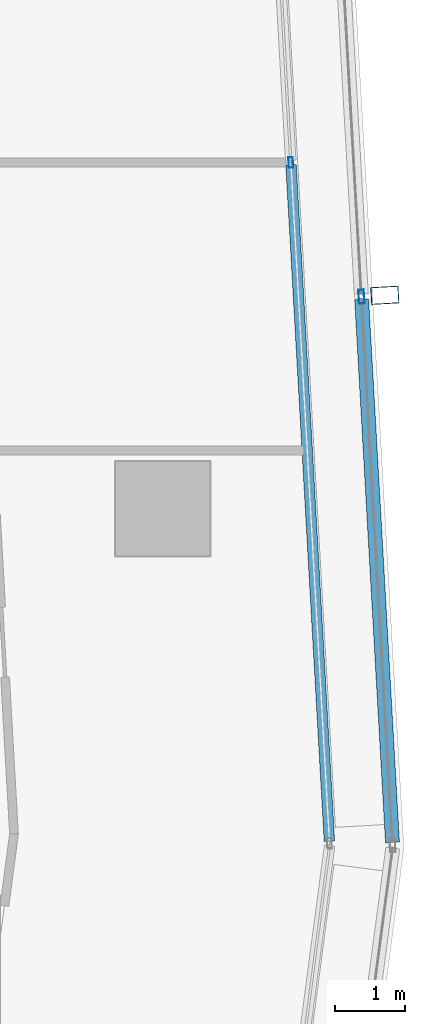
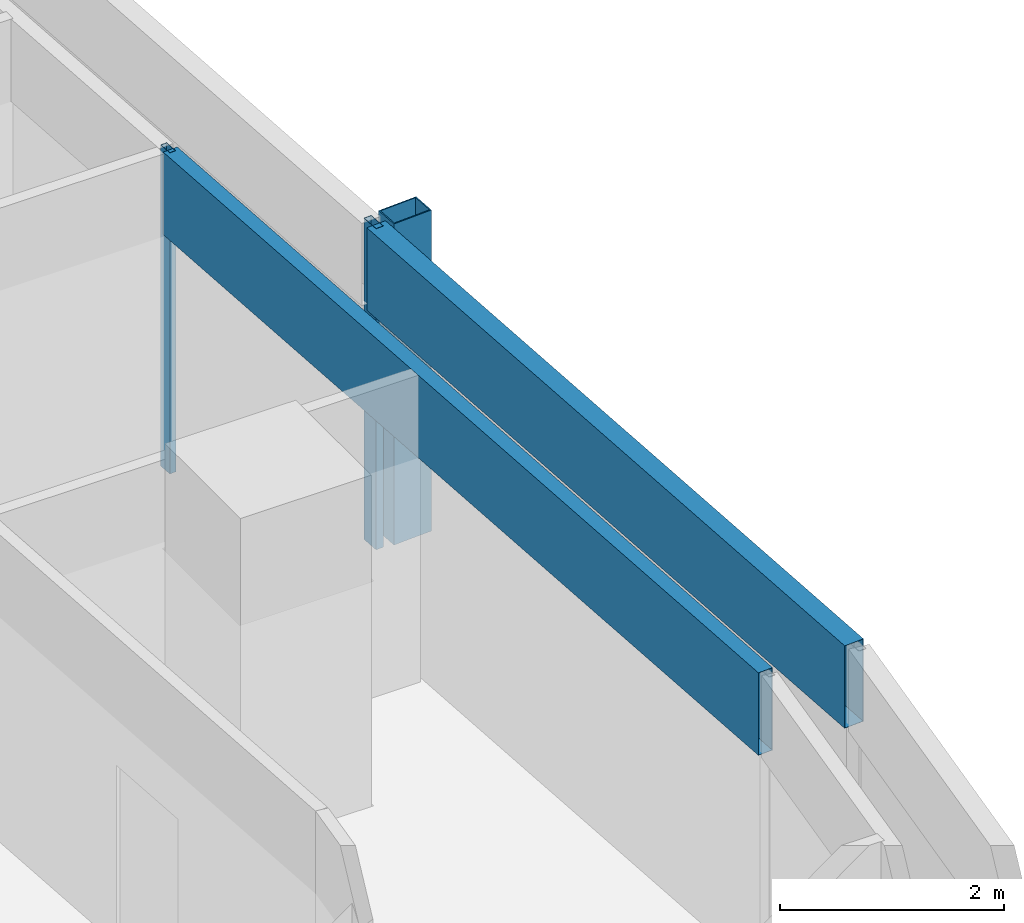
# One storey, part 14 of 39: 5 members, 2 elements without a shape of their own.
"""IFC4 building model written with IfcOpenShell, lengths in metres."""

from ifc_helpers import new_model, si_unit, direction, frame, origin, origin_2d, place, context, subcontext, project, spatial, hollow_rectangle, extrude, material, material_profile, profile_set, type_object, element, aggregate, save


model = new_model("IFC4")

# Units and contexts
model_context = context("Model", 3, precision=1e-05, world=origin(), true_north=direction((0.0, 1.0)))
body_context = subcontext(model_context, "Body", "Model", "MODEL_VIEW")
ifc_project = project(units=[si_unit("LENGTHUNIT", "METRE"), si_unit("AREAUNIT", "SQUARE_METRE"), si_unit("VOLUMEUNIT", "CUBIC_METRE"), si_unit("PLANEANGLEUNIT", "RADIAN"), si_unit("MASSUNIT", "GRAM", prefix="KILO")], contexts=[model_context])

# Site, building, storey
site_placement = place(None, origin())
site = spatial("IfcSite", under=ifc_project, at=site_placement, CompositionType="ELEMENT")
building_placement = place(site_placement, origin())
building = spatial("IfcBuilding", under=site, at=building_placement, Name="Rekha Terrace Tower", CompositionType="ELEMENT")
storey_placement = place(building_placement, frame((0.0, 0.0, 187.699951171875)))
storey = spatial("IfcBuildingStorey", under=building, at=storey_placement, Name="L47", CompositionType="ELEMENT", Elevation=187.699951171875)

# Curtain wall, member
ifc_material_1 = material(Name="Aluminium framing", Category="aluminium")
curtain_wall_type_1 = type_object("IfcCurtainWallType", Name="CW2 double skin outer glazing", PredefinedType="USERDEFINED", material=ifc_material_1)
curtain_wall_1_placement = place(storey_placement, origin())
curtain_wall_1 = element("IfcCurtainWall", 1, at=curtain_wall_1_placement, inside=storey, type_object=curtain_wall_type_1, Name="CW2 double skin outer glazing", ObjectType="DOUBLE SKIN OUTER GLAZING", PredefinedType="USERDEFINED")
ifc_material_2 = material(Name="Steel S355 with fluorocarbon finish", Category="steel")
ifc_material_profile_1 = material_profile(ifc_material_2, hollow_rectangle(XDim=0.25, YDim=0.39990234375, WallThickness=0.012451171875, at=origin_2d()), Name="RHS400x250x12.5")
ifc_profile_set_1 = profile_set([ifc_material_profile_1], Name="Steel S355 with fluorocarbon finish")
member_type_1 = type_object("IfcMemberType", Name="BL1 facade blade RHS 400 x 250", PredefinedType="USERDEFINED", material=ifc_profile_set_1)
member_1_placement = place(storey_placement, frame((61.975830078125, 36.65576171875, 0.0), z_axis=(0.0, 0.0, 1.0), x_axis=(-0.056673619809, 0.998392758797, 0.0)))
member_1 = element("IfcMember", 2, at=member_1_placement, type_object=member_type_1, Name="Facade blade", ObjectType="FACADE BLADE", PredefinedType="USERDEFINED", context=body_context, shape_type="SweptSolid", body=[
    extrude(hollow_rectangle(XDim=0.25, YDim=0.39990234375, WallThickness=0.012451171875, at=origin_2d()), origin(), (0.0, 0.0, 1.0), 3.5),
])

# Curtain wall, members
curtain_wall_type_2 = type_object("IfcCurtainWallType", Name="CW1 double skin inner glazing", PredefinedType="USERDEFINED", material=ifc_material_1)
curtain_wall_2_placement = place(storey_placement, origin())
curtain_wall_2 = element("IfcCurtainWall", 3, at=curtain_wall_2_placement, inside=storey, type_object=curtain_wall_type_2, Name="CW1 double skin inner glazing", ObjectType="DOUBLE SKIN INNER GLAZING", PredefinedType="USERDEFINED")
ifc_material_3 = material(Name="Aluminium mullion section", Category="aluminium")
ifc_material_profile_2 = material_profile(ifc_material_3, hollow_rectangle(XDim=0.06494140625, YDim=0.14990234375, WallThickness=0.00390625, at=origin_2d()), Name="AL RHS 65x150")
ifc_profile_set_2 = profile_set([ifc_material_profile_2], Name="Aluminium mullion section")
member_type_2 = type_object("IfcMemberType", Name="CW1 mullion RHS 65 x 150", PredefinedType="MULLION", material=ifc_profile_set_2)
member_2_placement = place(storey_placement, frame((60.631103515625, 38.555908203125, 0.0), z_axis=(0.0, 0.0, 1.0), x_axis=(-0.998392782919, -0.05667319486, 0.0)))
member_2 = element("IfcMember", 4, at=member_2_placement, type_object=member_type_2, Name="CW1 mullion 2", PredefinedType="MULLION", context=body_context, shape_type="SweptSolid", body=[
    extrude(hollow_rectangle(XDim=0.06494140625, YDim=0.14990234375, WallThickness=0.00390625, at=origin_2d()), origin(), (0.0, 0.0, 1.0), 3.5),
])
ifc_material_4 = material(Name="Insulated aluminium spandrel box", Category="aluminium")
ifc_material_profile_3 = material_profile(ifc_material_4, hollow_rectangle(XDim=0.14990234375, YDim=0.89990234375, WallThickness=0.0029296875, at=origin_2d()), Name="AL SPANDREL BOX 150x900")
ifc_profile_set_3 = profile_set([ifc_material_profile_3], Name="Insulated aluminium spandrel box")
member_type_3 = type_object("IfcMemberType", Name="CW1 spandrel transom 150 x 900", PredefinedType="USERDEFINED", material=ifc_profile_set_3)
member_3_placement = place(storey_placement, frame((61.182373046875, 28.8447265625, 3.050048828125), z_axis=(-0.056663932611, 0.998393308642, 0.0), x_axis=(-0.998393308642, -0.056663932611, 0.0)))
member_3 = element("IfcMember", 5, at=member_3_placement, type_object=member_type_3, Name="CW1 spandrel transom 1", ObjectType="TRANSOM", PredefinedType="USERDEFINED", context=body_context, shape_type="SweptSolid", body=[
    extrude(hollow_rectangle(XDim=0.14990234375, YDim=0.89990234375, WallThickness=0.0029296875, at=origin_2d()), origin(), (0.0, 0.0, 1.0), 9.6943359375),
])
aggregate(curtain_wall_2, [member_2, member_3])

# Member
ifc_material_profile_4 = material_profile(ifc_material_3, hollow_rectangle(XDim=0.080078125, YDim=0.199951171875, WallThickness=0.00390625, at=origin_2d()), Name="AL RHS 80x200")
ifc_profile_set_4 = profile_set([ifc_material_profile_4], Name="Aluminium mullion section")
member_type_4 = type_object("IfcMemberType", Name="CW2 mullion RHS 80 x 200", PredefinedType="MULLION", material=ifc_profile_set_4)
member_4_placement = place(storey_placement, frame((61.6416015625, 36.63671875, 0.0), z_axis=(0.0, 0.0, 1.0), x_axis=(-0.998392782919, -0.05667319486, 0.0)))
member_4 = element("IfcMember", 6, at=member_4_placement, type_object=member_type_4, Name="CW2 mullion 2", PredefinedType="MULLION", context=body_context, shape_type="SweptSolid", body=[
    extrude(hollow_rectangle(XDim=0.080078125, YDim=0.199951171875, WallThickness=0.00390625, at=origin_2d()), origin(), (0.0, 0.0, 1.0), 3.5),
])

ifc_material_profile_5 = material_profile(ifc_material_4, hollow_rectangle(XDim=0.199951171875, YDim=0.89990234375, WallThickness=0.0029296875, at=origin_2d()), Name="AL SPANDREL BOX 200x900")
ifc_profile_set_5 = profile_set([ifc_material_profile_5], Name="Insulated aluminium spandrel box")
member_type_5 = type_object("IfcMemberType", Name="CW2 spandrel transom 200 x 900", PredefinedType="USERDEFINED", material=ifc_profile_set_5)
member_5_placement = place(storey_placement, frame((62.0849609375, 28.825927734375, 3.050048828125), z_axis=(-0.05667908121, 0.998392448766, 0.0), x_axis=(-0.998392448766, -0.05667908121, 0.0)))
member_5 = element("IfcMember", 7, at=member_5_placement, type_object=member_type_5, Name="CW2 spandrel transom 1", ObjectType="TRANSOM", PredefinedType="USERDEFINED", context=body_context, shape_type="SweptSolid", body=[
    extrude(hollow_rectangle(XDim=0.199951171875, YDim=0.89990234375, WallThickness=0.0029296875, at=origin_2d()), origin(), (0.0, 0.0, 1.0), 7.783447265625),
])

aggregate(curtain_wall_1, [member_4, member_5, member_1])

save(model, "model.ifc")
